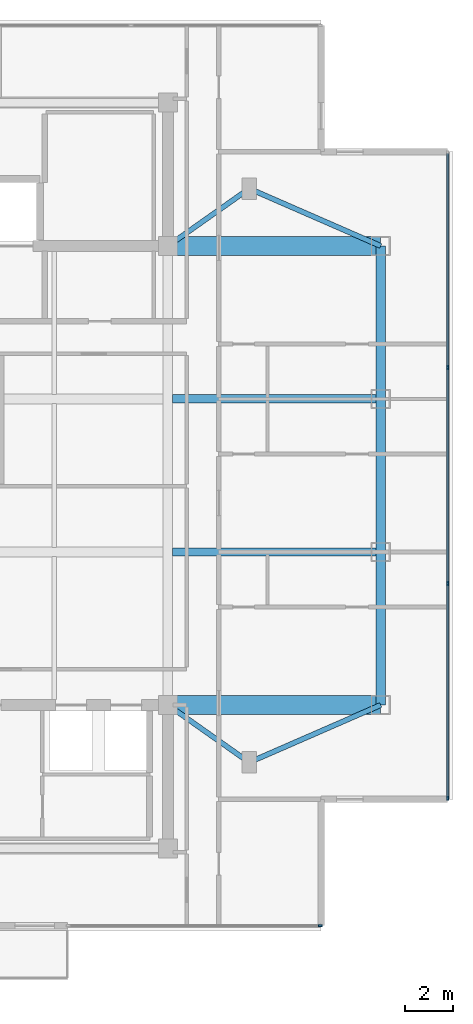
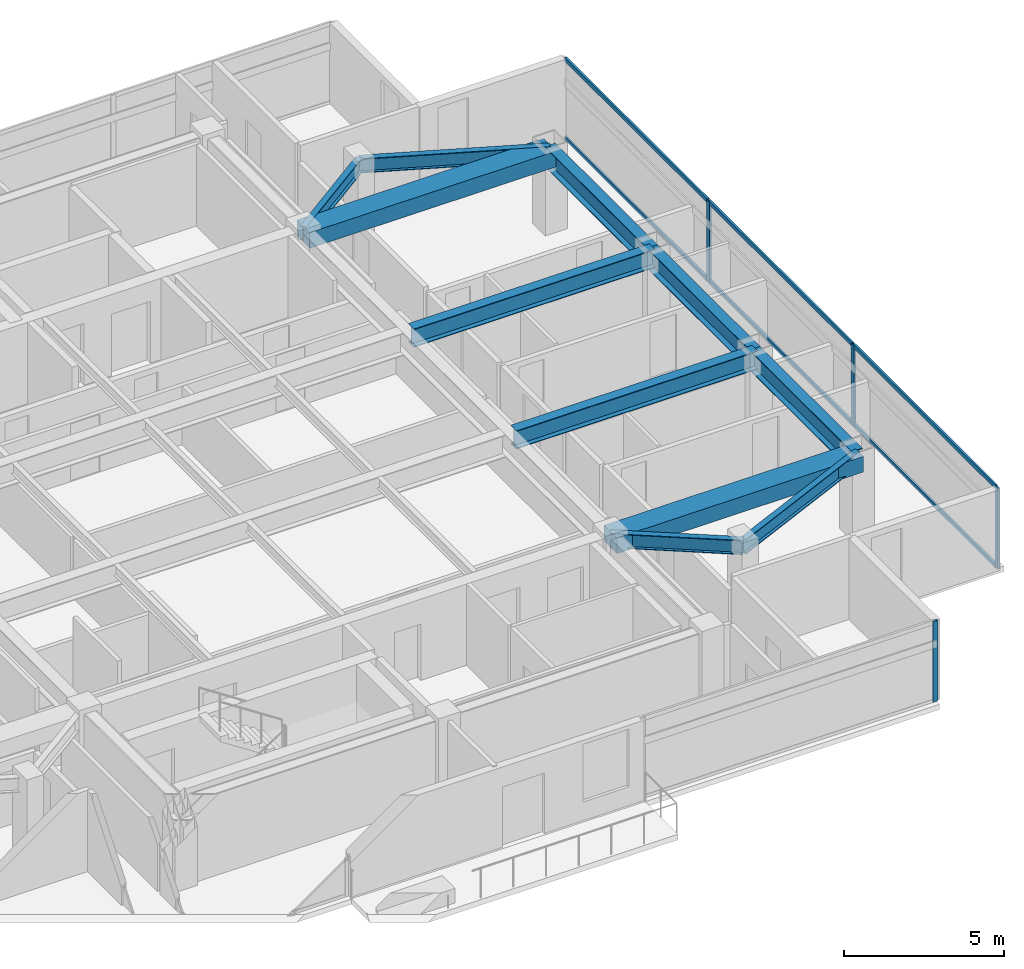
# One storey, part 4 of 14: 11 beams, 10 members, 2 elements without a shape of their own.
"""IFC4 building model written with IfcOpenShell, lengths in metres."""

from ifc_helpers import new_model, si_unit, direction, frame, origin, origin_2d, place, context, subcontext, project, spatial, rectangle, i_section, extrude, material, material_profile, profile_set, type_object, element, aggregate, save


model = new_model("IFC4")

# Units and contexts
model_context = context("Model", 3, precision=1e-05, world=origin(), true_north=direction((0.0, 1.0)))
body_context = subcontext(model_context, "Body", "Model", "MODEL_VIEW")
ifc_project = project(units=[si_unit("LENGTHUNIT", "METRE"), si_unit("AREAUNIT", "SQUARE_METRE"), si_unit("VOLUMEUNIT", "CUBIC_METRE"), si_unit("PLANEANGLEUNIT", "RADIAN"), si_unit("MASSUNIT", "GRAM", prefix="KILO")], contexts=[model_context])

# Site, building, storey
site_placement = place(None, origin())
site = spatial("IfcSite", under=ifc_project, at=site_placement, CompositionType="ELEMENT")
building_placement = place(site_placement, origin())
building = spatial("IfcBuilding", under=site, at=building_placement, Name="Mirazonda Arch Towers", CompositionType="ELEMENT")
storey_placement = place(building_placement, frame((0.0, 0.0, 232.60009765625)))
storey = spatial("IfcBuildingStorey", under=building, at=storey_placement, Name="L66", CompositionType="ELEMENT", Elevation=232.60009765625)

# Beams
ifc_material_1 = material(Name="Steel ASTM A992 Grade 50", Category="steel")
ifc_material_profile_1 = material_profile(ifc_material_1, i_section(OverallWidth=0.381103515625, OverallDepth=0.77294921875, WebThickness=0.0166015625, FlangeThickness=0.027099609375, at=origin_2d()), Name="W30X173")
ifc_profile_set_1 = profile_set([ifc_material_profile_1], Name="Steel ASTM A992 Grade 50")
beam_type_1 = type_object("IfcBeamType", Name="BM-EXT-W30X173", PredefinedType="USERDEFINED", material=ifc_profile_set_1)
beam_1_placement = place(storey_placement, frame((38.89990234375, 18.39990234375, 2.71337890625), z_axis=(0.0, 1.0, 0.0), x_axis=(-1.0, 0.0, 0.0)))
element("IfcBeam", 1, at=beam_1_placement, inside=storey, type_object=beam_type_1, Name="L66 Floor Beam BM-T1-L66-NS-E-18", ObjectType="GIRDER", PredefinedType="USERDEFINED", context=body_context, shape_type="SweptSolid", body=[
    extrude(i_section(OverallWidth=0.381103515625, OverallDepth=0.77294921875, WebThickness=0.0166015625, FlangeThickness=0.027099609375, at=origin_2d()), origin(), (0.0, 0.0, 1.0), 6.400146484375),
])
beam_2_placement = place(storey_placement, frame((38.89990234375, 24.800048828125, 2.71337890625), z_axis=(0.0, 1.0, 0.0), x_axis=(-1.0, 0.0, 0.0)))
element("IfcBeam", 2, at=beam_2_placement, inside=storey, type_object=beam_type_1, Name="L66 Floor Beam BM-T1-L66-NS-E-24", ObjectType="GIRDER", PredefinedType="USERDEFINED", context=body_context, shape_type="SweptSolid", body=[
    extrude(i_section(OverallWidth=0.381103515625, OverallDepth=0.77294921875, WebThickness=0.0166015625, FlangeThickness=0.027099609375, at=origin_2d()), origin(), (0.0, 0.0, 1.0), 6.39990234375),
])
beam_3_placement = place(storey_placement, frame((38.89990234375, 31.199951171875, 2.71337890625), z_axis=(0.0, 1.0, 0.0), x_axis=(-1.0, 0.0, 0.0)))
element("IfcBeam", 3, at=beam_3_placement, inside=storey, type_object=beam_type_1, Name="L66 Floor Beam BM-T1-L66-NS-E-31", ObjectType="GIRDER", PredefinedType="USERDEFINED", context=body_context, shape_type="SweptSolid", body=[
    extrude(i_section(OverallWidth=0.381103515625, OverallDepth=0.77294921875, WebThickness=0.0166015625, FlangeThickness=0.027099609375, at=origin_2d()), origin(), (0.0, 0.0, 1.0), 6.400146484375),
])
ifc_material_profile_2 = material_profile(ifc_material_1, i_section(OverallWidth=0.214111328125, OverallDepth=0.549072265625, WebThickness=0.0146484375, FlangeThickness=0.023681640625, at=origin_2d()), Name="W21X93")
ifc_profile_set_2 = profile_set([ifc_material_profile_2], Name="Steel ASTM A992 Grade 50")
beam_type_2 = type_object("IfcBeamType", Name="BM-INT-W21X93", PredefinedType="BEAM", material=ifc_profile_set_2)
beam_4_placement = place(storey_placement, frame((33.39990234375, 16.0, 2.825439453125), z_axis=(-0.816971114901, 0.576678591087, 0.0), x_axis=(-0.576678591087, -0.816971114901, 0.0)))
element("IfcBeam", 4, at=beam_4_placement, inside=storey, type_object=beam_type_2, Name="L66 Floor Beam BM-T1-L66-PL-SE1", PredefinedType="BEAM", context=body_context, shape_type="SweptSolid", body=[
    extrude(i_section(OverallWidth=0.214111328125, OverallDepth=0.549072265625, WebThickness=0.0146484375, FlangeThickness=0.023681640625, at=origin_2d()), origin(), (0.0, 0.0, 1.0), 4.16162109375),
])
beam_5_placement = place(storey_placement, frame((33.39990234375, 16.0, 2.825439453125), z_axis=(0.916545343703, 0.399930785183, 0.0), x_axis=(-0.399930785183, 0.916545343703, 0.0)))
element("IfcBeam", 5, at=beam_5_placement, inside=storey, type_object=beam_type_2, Name="L66 Floor Beam BM-T1-L66-PL-SE2", PredefinedType="BEAM", context=body_context, shape_type="SweptSolid", body=[
    extrude(i_section(OverallWidth=0.214111328125, OverallDepth=0.549072265625, WebThickness=0.0146484375, FlangeThickness=0.023681640625, at=origin_2d()), origin(), (0.0, 0.0, 1.0), 6.000732421875),
])
beam_6_placement = place(storey_placement, frame((33.39990234375, 40.0, 2.825439453125), z_axis=(-0.816971114901, -0.576678591087, 0.0), x_axis=(0.576678591087, -0.816971114901, 0.0)))
element("IfcBeam", 6, at=beam_6_placement, inside=storey, type_object=beam_type_2, Name="L66 Floor Beam BM-T1-L66-PL-NE1", PredefinedType="BEAM", context=body_context, shape_type="SweptSolid", body=[
    extrude(i_section(OverallWidth=0.214111328125, OverallDepth=0.549072265625, WebThickness=0.0146484375, FlangeThickness=0.023681640625, at=origin_2d()), origin(), (0.0, 0.0, 1.0), 4.16162109375),
])
beam_7_placement = place(storey_placement, frame((33.39990234375, 40.0, 2.825439453125), z_axis=(0.916545343703, -0.399930785183, 0.0), x_axis=(0.399930785183, 0.916545343703, 0.0)))
element("IfcBeam", 7, at=beam_7_placement, inside=storey, type_object=beam_type_2, Name="L66 Floor Beam BM-T1-L66-PL-NE2", PredefinedType="BEAM", context=body_context, shape_type="SweptSolid", body=[
    extrude(i_section(OverallWidth=0.214111328125, OverallDepth=0.549072265625, WebThickness=0.0146484375, FlangeThickness=0.023681640625, at=origin_2d()), origin(), (0.0, 0.0, 1.0), 6.000732421875),
])
ifc_material_profile_3 = material_profile(ifc_material_1, i_section(OverallWidth=0.35498046875, OverallDepth=0.696044921875, WebThickness=0.015380859375, FlangeThickness=0.02490234375, at=origin_2d()), Name="W27X146")
ifc_profile_set_3 = profile_set([ifc_material_profile_3], Name="Steel ASTM A992 Grade 50")
beam_type_3 = type_object("IfcBeamType", Name="BM-INT-W27X146", PredefinedType="BEAM", material=ifc_profile_set_3)
for number, where, z_axis, x_axis, name in (
    (8, (30.199951171875, 24.800048828125, 2.751953125), (1.0, 0.0, 0.0), (0.0, 1.0, 0.0), "L66 Floor Beam BM-T1-L66-GE2"),
    (9, (30.199951171875, 31.199951171875, 2.751953125), (1.0, 0.0, 0.0), (0.0, 1.0, 0.0), "L66 Floor Beam BM-T1-L66-GE3"),
):
    element("IfcBeam", number, at=place(storey_placement, frame(where, z_axis=z_axis, x_axis=x_axis)), inside=storey, type_object=beam_type_3, Name=name, PredefinedType="BEAM", context=body_context, shape_type="SweptSolid", body=[
        extrude(i_section(OverallWidth=0.35498046875, OverallDepth=0.696044921875, WebThickness=0.015380859375, FlangeThickness=0.02490234375, at=origin_2d()), origin(), (0.0, 0.0, 1.0), 8.699951171875),
    ])
ifc_material_2 = material(Name="Concrete C60/75", Category="concrete")
ifc_material_profile_4 = material_profile(ifc_material_2, rectangle(XDim=0.800048828125, YDim=0.60009765625, at=origin_2d()), Name="RCCB800x600")
ifc_profile_set_4 = profile_set([ifc_material_profile_4], Name="Concrete C60/75")
beam_type_4 = type_object("IfcBeamType", Name="CB-INT-RCCB800x600", PredefinedType="SPANDREL", material=ifc_profile_set_4)
for number, where, z_axis, x_axis, name in (
    (10, (30.0, 37.60009765625, 2.7998046875), (1.0, 0.0, 0.0), (0.0, 1.0, 0.0), "L66 Floor Beam CBC-T1-L66-NE"),
    (11, (30.0, 18.39990234375, 2.7998046875), (1.0, 0.0, 0.0), (0.0, 1.0, 0.0), "L66 Floor Beam CBC-T1-L66-SE"),
):
    element("IfcBeam", number, at=place(storey_placement, frame(where, z_axis=z_axis, x_axis=x_axis)), inside=storey, type_object=beam_type_4, Name=name, PredefinedType="SPANDREL", context=body_context, shape_type="SweptSolid", body=[
        extrude(rectangle(XDim=0.800048828125, YDim=0.60009765625, at=origin_2d()), origin(), (0.0, 0.0, 1.0), 8.89990234375),
    ])

# Curtain wall, member
ifc_material_3 = material(Name="Anodised Aluminium and Low-E Glass", Category="aluminium")
curtain_wall_type = type_object("IfcCurtainWallType", Name="CW-RES-UNIT", PredefinedType="NOTDEFINED", material=ifc_material_3)
curtain_wall_1_placement = place(storey_placement, origin())
curtain_wall_1 = element("IfcCurtainWall", 12, at=curtain_wall_1_placement, inside=storey, type_object=curtain_wall_type, Name="L66 Curtain Wall CW-L66-T1-SA", PredefinedType="NOTDEFINED")
ifc_material_4 = material(Name="Anodised Aluminium Alloy", Category="aluminium")
ifc_material_profile_5 = material_profile(ifc_material_4, rectangle(XDim=0.074951171875, YDim=0.175048828125, at=origin_2d()), Name="ALU-MULL-75x175")
ifc_profile_set_5 = profile_set([ifc_material_profile_5], Name="Anodised Aluminium Alloy")
member_type_1 = type_object("IfcMemberType", Name="MULL-CW-RES-UNIT", PredefinedType="MULLION", material=ifc_profile_set_5)
member_1_placement = place(storey_placement, frame((36.37255859375, 9.16796875, 0.0), z_axis=(0.0, 0.0, 1.0), x_axis=(0.0, -1.0, 0.0)))
member_1 = element("IfcMember", 13, at=member_1_placement, type_object=member_type_1, Name="CW-104 mullion 1", PredefinedType="MULLION", context=body_context, shape_type="SweptSolid", body=[
    extrude(rectangle(XDim=0.074951171875, YDim=0.175048828125, at=origin_2d()), origin(), (0.0, 0.0, 1.0), 3.079833984375),
])
aggregate(curtain_wall_1, [member_1])

# Curtain wall, members
curtain_wall_2_placement = place(storey_placement, origin())
curtain_wall_2 = element("IfcCurtainWall", 14, at=curtain_wall_2_placement, inside=storey, type_object=curtain_wall_type, Name="L66 T1 E Facade CW-L66-T1-E", PredefinedType="NOTDEFINED")
member_2_placement = place(storey_placement, frame((41.699951171875, 14.49560546875, 0.0), z_axis=(0.0, 0.0, 1.0), x_axis=(-1.0, 0.0, 0.0)))
member_2 = element("IfcMember", 15, at=member_2_placement, type_object=member_type_1, Name="CW-104 mullion 1", PredefinedType="MULLION", context=body_context, shape_type="SweptSolid", body=[
    extrude(rectangle(XDim=0.074951171875, YDim=0.175048828125, at=origin_2d()), origin(), (0.0, 0.0, 1.0), 3.079833984375),
])
member_3_placement = place(storey_placement, frame((41.699951171875, 23.486083984375, 0.0), z_axis=(0.0, 0.0, 1.0), x_axis=(-1.0, 0.0, 0.0)))
member_3 = element("IfcMember", 16, at=member_3_placement, type_object=member_type_1, Name="CW-104 mullion 2", PredefinedType="MULLION", context=body_context, shape_type="SweptSolid", body=[
    extrude(rectangle(XDim=0.074951171875, YDim=0.175048828125, at=origin_2d()), origin(), (0.0, 0.0, 1.0), 3.079833984375),
])
member_4_placement = place(storey_placement, frame((41.699951171875, 32.513916015625, 0.0), z_axis=(0.0, 0.0, 1.0), x_axis=(-1.0, 0.0, 0.0)))
member_4 = element("IfcMember", 17, at=member_4_placement, type_object=member_type_1, Name="CW-104 mullion 3", PredefinedType="MULLION", context=body_context, shape_type="SweptSolid", body=[
    extrude(rectangle(XDim=0.074951171875, YDim=0.175048828125, at=origin_2d()), origin(), (0.0, 0.0, 1.0), 3.079833984375),
])
ifc_material_profile_6 = material_profile(ifc_material_4, rectangle(XDim=0.074951171875, YDim=0.155029296875, at=origin_2d()), Name="ALU-TRAN-75x155")
ifc_profile_set_6 = profile_set([ifc_material_profile_6], Name="Anodised Aluminium Alloy")
member_type_2 = type_object("IfcMemberType", Name="TRAN-CW-RES-UNIT", PredefinedType="USERDEFINED", material=ifc_profile_set_6)
member_5_placement = place(storey_placement, frame((41.699951171875, 14.532958984375, 0.037353515625), z_axis=(0.0, 1.0, 0.0), x_axis=(-1.0, 0.0, 0.0)))
member_5 = element("IfcMember", 18, at=member_5_placement, type_object=member_type_2, Name="CW-104 transom 1.1", ObjectType="TRANSOM", PredefinedType="USERDEFINED", context=body_context, shape_type="SweptSolid", body=[
    extrude(rectangle(XDim=0.074951171875, YDim=0.155029296875, at=origin_2d()), origin(), (0.0, 0.0, 1.0), 8.91552734375),
])
member_6_placement = place(storey_placement, frame((41.699951171875, 14.532958984375, 3.04248046875), z_axis=(0.0, 1.0, 0.0), x_axis=(-1.0, 0.0, 0.0)))
member_6 = element("IfcMember", 19, at=member_6_placement, type_object=member_type_2, Name="CW-104 transom 1.2", ObjectType="TRANSOM", PredefinedType="USERDEFINED", context=body_context, shape_type="SweptSolid", body=[
    extrude(rectangle(XDim=0.074951171875, YDim=0.155029296875, at=origin_2d()), origin(), (0.0, 0.0, 1.0), 8.91552734375),
])
member_7_placement = place(storey_placement, frame((41.699951171875, 23.5234375, 0.037353515625), z_axis=(0.0, 1.0, 0.0), x_axis=(-1.0, 0.0, 0.0)))
member_7 = element("IfcMember", 20, at=member_7_placement, type_object=member_type_2, Name="CW-104 transom 2.1", ObjectType="TRANSOM", PredefinedType="USERDEFINED", context=body_context, shape_type="SweptSolid", body=[
    extrude(rectangle(XDim=0.074951171875, YDim=0.155029296875, at=origin_2d()), origin(), (0.0, 0.0, 1.0), 8.953125),
])
member_8_placement = place(storey_placement, frame((41.699951171875, 23.5234375, 3.04248046875), z_axis=(0.0, 1.0, 0.0), x_axis=(-1.0, 0.0, 0.0)))
member_8 = element("IfcMember", 21, at=member_8_placement, type_object=member_type_2, Name="CW-104 transom 2.2", ObjectType="TRANSOM", PredefinedType="USERDEFINED", context=body_context, shape_type="SweptSolid", body=[
    extrude(rectangle(XDim=0.074951171875, YDim=0.155029296875, at=origin_2d()), origin(), (0.0, 0.0, 1.0), 8.953125),
])
member_9_placement = place(storey_placement, frame((41.699951171875, 32.551513671875, 0.037353515625), z_axis=(0.0, 1.0, 0.0), x_axis=(-1.0, 0.0, 0.0)))
member_9 = element("IfcMember", 22, at=member_9_placement, type_object=member_type_2, Name="CW-104 transom 3.1", ObjectType="TRANSOM", PredefinedType="USERDEFINED", context=body_context, shape_type="SweptSolid", body=[
    extrude(rectangle(XDim=0.074951171875, YDim=0.155029296875, at=origin_2d()), origin(), (0.0, 0.0, 1.0), 8.91552734375),
])
member_10_placement = place(storey_placement, frame((41.699951171875, 32.551513671875, 3.04248046875), z_axis=(0.0, 1.0, 0.0), x_axis=(-1.0, 0.0, 0.0)))
member_10 = element("IfcMember", 23, at=member_10_placement, type_object=member_type_2, Name="CW-104 transom 3.2", ObjectType="TRANSOM", PredefinedType="USERDEFINED", context=body_context, shape_type="SweptSolid", body=[
    extrude(rectangle(XDim=0.074951171875, YDim=0.155029296875, at=origin_2d()), origin(), (0.0, 0.0, 1.0), 8.91552734375),
])
aggregate(curtain_wall_2, [member_2, member_3, member_4, member_5, member_6, member_7, member_8, member_9, member_10])

save(model, "model.ifc")
